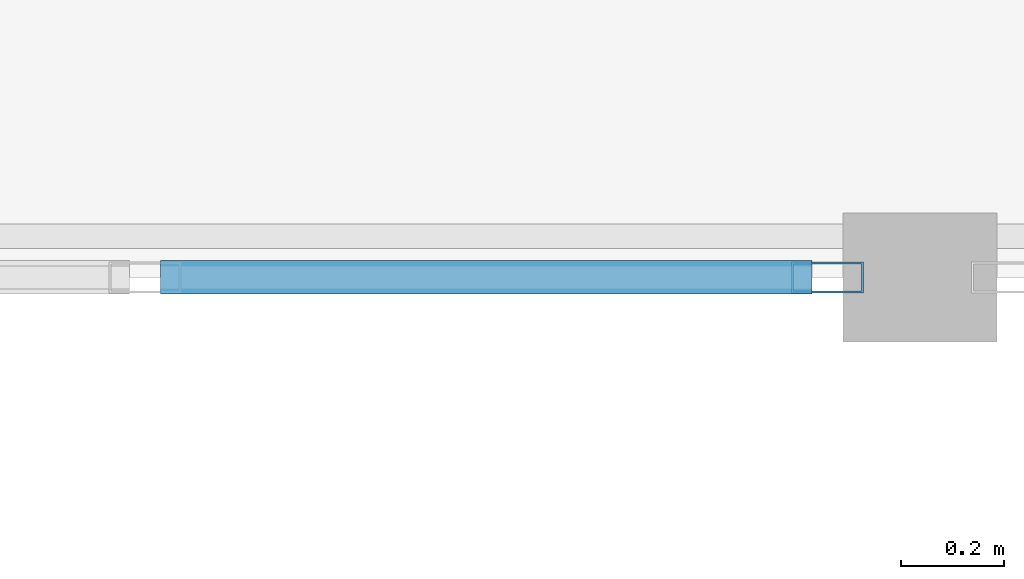
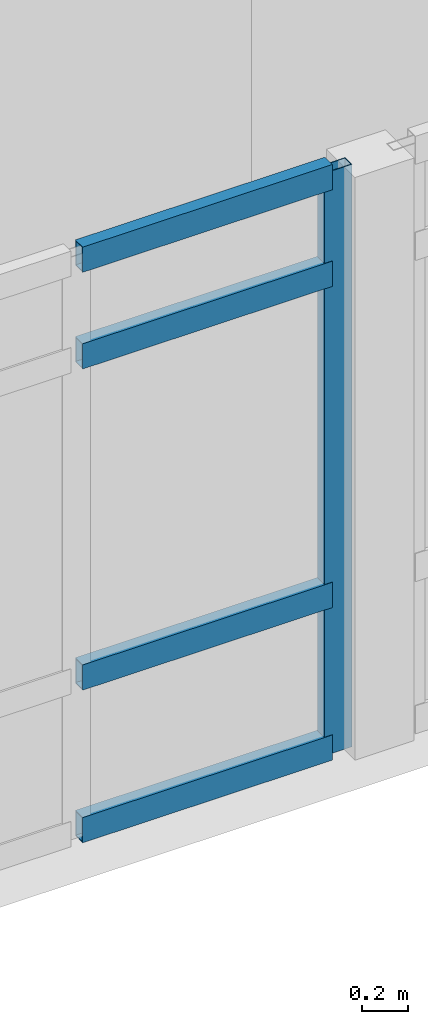
# One storey, part 9 of 37: 5 members, 1 element without a shape of its own.
"""IFC4 building model written with IfcOpenShell, lengths in metres."""

from ifc_helpers import new_model, si_unit, direction, frame, origin, origin_2d, place, context, subcontext, project, spatial, hollow_rectangle, extrude, material, layer, layer_set, material_profile, profile_set, type_object, element, aggregate, save


model = new_model("IFC4")

# Units and contexts
model_context = context("Model", 3, precision=1e-05, world=origin(), true_north=direction((0.0, 1.0)))
body_context = subcontext(model_context, "Body", "Model", "MODEL_VIEW")
ifc_project = project(units=[si_unit("LENGTHUNIT", "METRE"), si_unit("AREAUNIT", "SQUARE_METRE"), si_unit("VOLUMEUNIT", "CUBIC_METRE"), si_unit("PLANEANGLEUNIT", "RADIAN"), si_unit("MASSUNIT", "GRAM", prefix="KILO")], contexts=[model_context])

# Site, building, storey
site_placement = place(None, origin())
site = spatial("IfcSite", under=ifc_project, at=site_placement, CompositionType="ELEMENT")
building_placement = place(site_placement, origin())
building = spatial("IfcBuilding", under=site, at=building_placement, Name="Fikremerkos Civic Library", CompositionType="ELEMENT")
storey_placement = place(building_placement, frame((0.0, 0.0, 23.39990234375)))
storey = spatial("IfcBuildingStorey", under=building, at=storey_placement, Name="L05", CompositionType="ELEMENT", Elevation=23.39990234375)

# Curtain wall, members
ifc_material = material(Name="Anodized aluminium Frame", Category="aluminium")
ifc_layer = layer(ifc_material, 0.159912109375, Name="Anodized aluminium Frame")
ifc_layer_set = layer_set([ifc_layer], Name="Anodized aluminium Frame")
curtain_wall_type = type_object("IfcCurtainWallType", Name="Unitised curtain wall CW-03 4100x3600", PredefinedType="USERDEFINED", material=ifc_layer_set)
curtain_wall_placement = place(storey_placement, origin())
curtain_wall = element("IfcCurtainWall", 1, at=curtain_wall_placement, inside=storey, type_object=curtain_wall_type, Name="Unitised curtain wall CW-03 L05 #291", ObjectType="UNITISED CURTAIN WALL", PredefinedType="USERDEFINED")
ifc_material_profile_1 = material_profile(ifc_material, hollow_rectangle(XDim=0.06005859375, YDim=0.139892578125, WallThickness=0.00390625, at=origin_2d()), Name="ALU 140x60x4")
ifc_profile_set_1 = profile_set([ifc_material_profile_1], Name="Anodized aluminium Frame")
member_type_1 = type_object("IfcMemberType", Name="Curtain mullion CWM-03 ALU 140x60x4", PredefinedType="MULLION", material=ifc_profile_set_1)
member_1_placement = place(storey_placement, frame((64.08740234375, 21.60009765625, 0.0), z_axis=(0.0, 0.0, 1.0), x_axis=(0.0, -1.0, 0.0)))
member_1 = element("IfcMember", 2, at=member_1_placement, type_object=member_type_1, Name="CW-03 mullion 1", PredefinedType="MULLION", context=body_context, shape_type="SweptSolid", body=[
    extrude(hollow_rectangle(XDim=0.06005859375, YDim=0.139892578125, WallThickness=0.00390625, at=origin_2d()), origin(), (0.0, 0.0, 1.0), 3.1201171875),
])
ifc_material_profile_2 = material_profile(ifc_material, hollow_rectangle(XDim=0.06494140625, YDim=0.135009765625, WallThickness=0.00439453125, at=origin_2d()), Name="ALU 135x65x4.5")
ifc_profile_set_2 = profile_set([ifc_material_profile_2], Name="Anodized aluminium Frame")
member_type_2 = type_object("IfcMemberType", Name="Curtain transom CWT-02 ALU 135x65x4.5", PredefinedType="USERDEFINED", material=ifc_profile_set_2)
member_2_placement = place(storey_placement, frame((64.057373046875, 21.60009765625, 0.03271484375), z_axis=(-1.0, 0.0, 0.0), x_axis=(0.0, -1.0, 0.0)))
member_2 = element("IfcMember", 3, at=member_2_placement, type_object=member_type_2, Name="CW-03 transom 1.1", ObjectType="TRANSOM", PredefinedType="USERDEFINED", context=body_context, shape_type="SweptSolid", body=[
    extrude(hollow_rectangle(XDim=0.06494140625, YDim=0.135009765625, WallThickness=0.00439453125, at=origin_2d()), origin(), (0.0, 0.0, 1.0), 1.26513671875),
])
member_3_placement = place(storey_placement, frame((64.057373046875, 21.60009765625, 0.85009765625), z_axis=(-1.0, 0.0, 0.0), x_axis=(0.0, -1.0, 0.0)))
member_3 = element("IfcMember", 4, at=member_3_placement, type_object=member_type_2, Name="CW-03 transom 1.2", ObjectType="TRANSOM", PredefinedType="USERDEFINED", context=body_context, shape_type="SweptSolid", body=[
    extrude(hollow_rectangle(XDim=0.06494140625, YDim=0.135009765625, WallThickness=0.00439453125, at=origin_2d()), origin(), (0.0, 0.0, 1.0), 1.26513671875),
])
member_4_placement = place(storey_placement, frame((64.057373046875, 21.60009765625, 2.570068359375), z_axis=(-1.0, 0.0, 0.0), x_axis=(0.0, -1.0, 0.0)))
member_4 = element("IfcMember", 5, at=member_4_placement, type_object=member_type_2, Name="CW-03 transom 1.3", ObjectType="TRANSOM", PredefinedType="USERDEFINED", context=body_context, shape_type="SweptSolid", body=[
    extrude(hollow_rectangle(XDim=0.06494140625, YDim=0.135009765625, WallThickness=0.00439453125, at=origin_2d()), origin(), (0.0, 0.0, 1.0), 1.26513671875),
])
member_5_placement = place(storey_placement, frame((64.057373046875, 21.60009765625, 3.087646484375), z_axis=(-1.0, 0.0, 0.0), x_axis=(0.0, -1.0, 0.0)))
member_5 = element("IfcMember", 6, at=member_5_placement, type_object=member_type_2, Name="CW-03 transom 1.4", ObjectType="TRANSOM", PredefinedType="USERDEFINED", context=body_context, shape_type="SweptSolid", body=[
    extrude(hollow_rectangle(XDim=0.06494140625, YDim=0.135009765625, WallThickness=0.00439453125, at=origin_2d()), origin(), (0.0, 0.0, 1.0), 1.26513671875),
])
aggregate(curtain_wall, [member_1, member_2, member_3, member_4, member_5])

save(model, "model.ifc")
